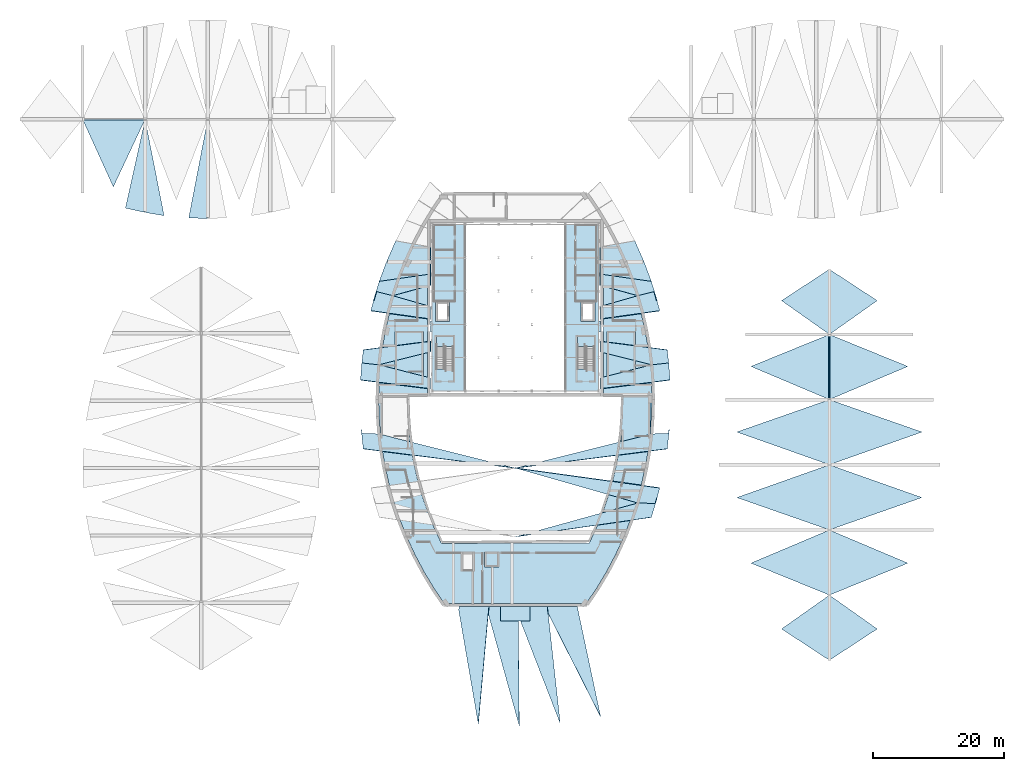
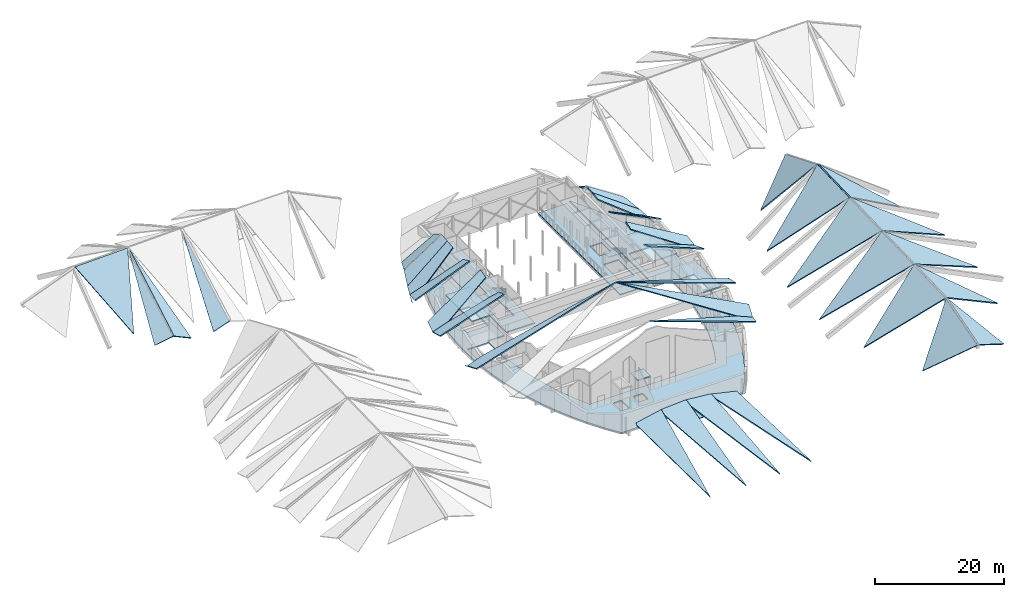
# One storey, part 8 of 17: 46 slabs, 2 elements without a shape of their own.
"""IFC4 building model written with IfcOpenShell, lengths in metres."""

from ifc_helpers import new_model, si_unit, direction, frame, origin, place, context, subcontext, project, spatial, polyline, outline, extrude, material, layer, layer_set, type_object, element, aggregate, save


model = new_model("IFC4")

# Units and contexts
model_context = context("Model", 3, precision=1e-05, world=origin(), true_north=direction((0.0, 1.0)))
body_context = subcontext(model_context, "Body", "Model", "MODEL_VIEW")
ifc_project = project(units=[si_unit("LENGTHUNIT", "METRE"), si_unit("AREAUNIT", "SQUARE_METRE"), si_unit("VOLUMEUNIT", "CUBIC_METRE"), si_unit("PLANEANGLEUNIT", "RADIAN"), si_unit("MASSUNIT", "GRAM", prefix="KILO")], contexts=[model_context])

# Site, building, storey
site_placement = place(None, origin())
site = spatial("IfcSite", under=ifc_project, at=site_placement, CompositionType="ELEMENT")
building_placement = place(site_placement, origin())
building = spatial("IfcBuilding", under=site, at=building_placement, Name="Tide Square Theatres", CompositionType="ELEMENT")
storey_placement = place(building_placement, frame((0.0, 0.0, 14.800048828125)))
storey = spatial("IfcBuildingStorey", under=building, at=storey_placement, Name="L03", CompositionType="ELEMENT", Elevation=14.800048828125)

# Slabs
ifc_material_1 = material(Name="Concrete C35", Category="concrete")
ifc_layer_1 = layer(ifc_material_1, 0.199951171875)
ifc_layer_set_1 = layer_set([ifc_layer_1], Name="Concrete C35")
slab_type_1 = type_object("IfcSlabType", Name="RC floor slab 200", PredefinedType="FLOOR", material=ifc_layer_set_1)
slab_1_placement = place(storey_placement, frame((0.0, 0.0, -0.199951171875)))
element("IfcSlab", 1, at=slab_1_placement, inside=storey, type_object=slab_type_1, Name="Fly gallery floor", PredefinedType="FLOOR", context=body_context, shape_type="SweptSolid", body=[
    extrude(outline(polyline([(71.27587890625, 56.27587890625), (76.365478515625, 56.27587890625), (76.365478515625, 81.72412109375), (71.27587890625, 81.72412109375), (71.27587890625, 67.0), (71.010009765625, 67.0), (71.010009765625, 65.300048828125), (71.27587890625, 65.300048828125), (71.27587890625, 56.27587890625)]), holes=[polyline([(74.52587890625, 59.631103515625), (74.52587890625, 64.575927734375), (71.926025390625, 64.575927734375), (71.926025390625, 59.631103515625), (74.52587890625, 59.631103515625)]), polyline([(73.926025390625, 66.89990234375), (73.926025390625, 69.89990234375), (71.825927734375, 69.89990234375), (71.825927734375, 66.89990234375), (73.926025390625, 66.89990234375)])]), origin(), (0.0, 0.0, 1.0), 0.199951171875),
])
slab_2_placement = place(storey_placement, frame((0.0, 0.0, -0.199951171875)))
element("IfcSlab", 2, at=slab_2_placement, inside=storey, type_object=slab_type_1, Name="Fly gallery floor", PredefinedType="FLOOR", context=body_context, shape_type="SweptSolid", body=[
    extrude(outline(polyline([(91.634521484375, 56.27587890625), (96.72412109375, 56.27587890625), (96.72412109375, 65.300048828125), (96.989990234375, 65.300048828125), (96.989990234375, 67.0), (96.72412109375, 67.0), (96.72412109375, 81.72412109375), (91.634521484375, 81.72412109375), (91.634521484375, 56.27587890625)]), holes=[polyline([(96.073974609375, 59.631103515625), (96.073974609375, 64.575927734375), (93.47412109375, 64.575927734375), (93.47412109375, 59.631103515625), (96.073974609375, 59.631103515625)]), polyline([(96.174072265625, 66.89990234375), (96.174072265625, 69.89990234375), (94.073974609375, 69.89990234375), (94.073974609375, 66.89990234375), (96.174072265625, 66.89990234375)])]), origin(), (0.0, 0.0, 1.0), 0.199951171875),
])
ifc_material_2 = material(Name="Concrete C35", Category="concrete")
ifc_layer_2 = layer(ifc_material_2, 0.25)
ifc_layer_set_2 = layer_set([ifc_layer_2], Name="Concrete C35")
slab_type_2 = type_object("IfcSlabType", Name="RC floor slab 250", PredefinedType="FLOOR", material=ifc_layer_set_2)
slab_3_placement = place(storey_placement, frame((0.0, 0.0, -0.25)))
element("IfcSlab", 3, at=slab_3_placement, inside=storey, type_object=slab_type_2, Name="Floor slab", PredefinedType="FLOOR", context=body_context, shape_type="SweptSolid", body=[
    extrude(outline(polyline([(64.75048828125, 41.8671875), (65.490478515625, 39.22802734375), (66.364501953125, 36.63037109375), (67.3701171875, 34.081298828125), (68.622802734375, 31.345703125), (70.02685546875, 28.685302734375), (71.578125, 26.107666015625), (73.14501953125, 23.8076171875), (94.85498046875, 23.8076171875), (96.421875, 26.107666015625), (97.97314453125, 28.685302734375), (99.377197265625, 31.345703125), (100.6298828125, 34.081298828125), (101.635498046875, 36.63037109375), (102.509521484375, 39.22802734375), (103.24951171875, 41.8671875), (103.853515625, 44.540771484375), (104.303955078125, 47.13330078125), (104.62646484375, 49.744873046875), (104.8203125, 52.369384765625), (104.885009765625, 55.0), (104.8203125, 57.630615234375), (104.62646484375, 60.255126953125), (104.303955078125, 62.86669921875), (103.853515625, 65.459228515625), (103.24951171875, 68.1328125), (102.509521484375, 70.77197265625), (101.635498046875, 73.36962890625), (100.6298828125, 75.918701171875), (99.377197265625, 78.654296875), (97.97314453125, 81.314697265625), (97.449951171875, 82.18408203125), (97.449951171875, 55.699951171875), (100.46630859375, 55.699951171875), (100.483642578125, 55.0), (100.42431640625, 52.58544921875), (100.246337890625, 50.1767578125), (99.9501953125, 47.77978515625), (99.537353515625, 45.402587890625), (98.982421875, 42.946533203125), (98.303466796875, 40.5244140625), (97.501220703125, 38.140380859375), (96.580322265625, 35.805908203125), (95.42822265625, 33.2900390625), (95.275146484375, 33.0), (72.724853515625, 33.0), (72.57177734375, 33.2900390625), (71.419677734375, 35.805908203125), (70.498779296875, 38.140380859375), (69.696533203125, 40.5244140625), (69.017578125, 42.946533203125), (68.462646484375, 45.402587890625), (68.0498046875, 47.77978515625), (67.753662109375, 50.1767578125), (67.57568359375, 52.58544921875), (67.516357421875, 55.0), (67.53369140625, 55.699951171875), (70.550048828125, 55.699951171875), (70.550048828125, 82.18408203125), (70.02685546875, 81.314697265625), (68.622802734375, 78.654296875), (67.3701171875, 75.918701171875), (66.364501953125, 73.36962890625), (65.490478515625, 70.77197265625), (64.75048828125, 68.1328125), (64.146484375, 65.459228515625), (63.696044921875, 62.86669921875), (63.37353515625, 60.255126953125), (63.1796875, 57.630615234375), (63.114990234375, 55.0), (63.1796875, 52.369384765625), (63.37353515625, 49.744873046875), (63.696044921875, 47.13330078125), (64.146484375, 44.540771484375), (64.75048828125, 41.8671875)]), holes=[polyline([(65.89990234375, 59.255126953125), (69.699951171875, 59.255126953125), (69.699951171875, 65.14990234375), (65.89990234375, 65.14990234375), (65.89990234375, 59.255126953125)]), polyline([(98.300048828125, 65.14990234375), (98.300048828125, 59.255126953125), (102.10009765625, 59.255126953125), (102.10009765625, 65.14990234375), (98.300048828125, 65.14990234375)]), polyline([(67.5, 55.300048828125), (63.699951171875, 55.300048828125), (63.699951171875, 49.4052734375), (67.5, 49.4052734375), (67.5, 55.300048828125)]), polyline([(104.300048828125, 49.4052734375), (104.300048828125, 55.300048828125), (100.5, 55.300048828125), (100.5, 49.4052734375), (104.300048828125, 49.4052734375)]), polyline([(76.0, 31.39990234375), (76.0, 29.0), (77.5, 29.0), (77.5, 31.39990234375), (76.0, 31.39990234375)]), polyline([(81.25, 31.39990234375), (79.60009765625, 31.39990234375), (79.60009765625, 29.699951171875), (81.25, 29.699951171875), (81.25, 31.39990234375)])]), origin(), (0.0, 0.0, 1.0), 0.25),
])

# Stair, slab
ifc_material_3 = material(Name="Concrete C35", Category="concrete")
stair_type = type_object("IfcStairType", Name="Stair half turn 1200 wide, 28 risers, rise 4600", PredefinedType="HALF_TURN_STAIR", material=ifc_material_3)
stair_1_placement = place(storey_placement, origin())
stair_1 = element("IfcStair", 4, at=stair_1_placement, inside=storey, type_object=stair_type, Name="Fly Tower west stair", PredefinedType="HALF_TURN_STAIR")
ifc_material_4 = material(Name="Concrete C35", Category="concrete")
ifc_layer_3 = layer(ifc_material_4, 0.199951171875)
ifc_layer_set_3 = layer_set([ifc_layer_3], Name="Concrete C35")
slab_type_3 = type_object("IfcSlabType", Name="RC landing slab 200", PredefinedType="LANDING", material=ifc_layer_set_3)
slab_4_placement = place(storey_placement, frame((0.0, 0.0, 2.099853515625)))
slab_4 = element("IfcSlab", 5, at=slab_4_placement, type_object=slab_type_3, Name="ST-1200-4600 landing 1", PredefinedType="LANDING", context=body_context, shape_type="SweptSolid", body=[
    extrude(outline(polyline([(74.52587890625, 63.095947265625), (74.52587890625, 64.575927734375), (71.926025390625, 64.575927734375), (71.926025390625, 63.095947265625), (74.52587890625, 63.095947265625)])), origin(), (0.0, 0.0, 1.0), 0.2001953125),
])
aggregate(stair_1, [slab_4])

stair_2_placement = place(storey_placement, origin())
stair_2 = element("IfcStair", 6, at=stair_2_placement, inside=storey, type_object=stair_type, Name="Fly Tower east stair", PredefinedType="HALF_TURN_STAIR")
slab_5_placement = place(storey_placement, frame((0.0, 0.0, 2.099853515625)))
slab_5 = element("IfcSlab", 7, at=slab_5_placement, type_object=slab_type_3, Name="ST-1200-4600 landing 1", PredefinedType="LANDING", context=body_context, shape_type="SweptSolid", body=[
    extrude(outline(polyline([(96.073974609375, 63.095947265625), (96.073974609375, 64.575927734375), (93.47412109375, 64.575927734375), (93.47412109375, 63.095947265625), (96.073974609375, 63.095947265625)])), origin(), (0.0, 0.0, 1.0), 0.2001953125),
])
aggregate(stair_2, [slab_5])

# Slabs
ifc_material_5 = material(Name="Concrete C40", Category="concrete")
ifc_layer_4 = layer(ifc_material_5, 0.1201171875)
ifc_layer_set_4 = layer_set([ifc_layer_4], Name="Concrete C40")
slab_type_4 = type_object("IfcSlabType", Name="RC roof slab 120", PredefinedType="ROOF", material=ifc_layer_set_4)
slab_6_placement = place(storey_placement, frame((0.0, 0.0, -0.1201171875)))
element("IfcSlab", 8, at=slab_6_placement, inside=storey, type_object=slab_type_4, Name="Lift overrun roof", PredefinedType="ROOF", context=body_context, shape_type="SweptSolid", body=[
    extrude(outline(polyline([(86.25, 23.357666015625), (81.75, 23.357666015625), (81.75, 21.15771484375), (86.25, 21.15771484375), (86.25, 23.357666015625)])), origin(), (0.0, 0.0, 1.0), 0.1201171875),
])
ifc_material_6 = material(Name="Concrete C40", Category="concrete")
ifc_layer_5 = layer(ifc_material_6, 0.199951171875)
ifc_layer_set_5 = layer_set([ifc_layer_5], Name="Concrete C40")
slab_type_5 = type_object("IfcSlabType", Name="RC roof slab 200", PredefinedType="ROOF", material=ifc_layer_set_5)
slab_7_placement = place(storey_placement, frame((0.0, 0.0, 3.294189453125)))
element("IfcSlab", 9, at=slab_7_placement, inside=storey, type_object=slab_type_5, Name="Main Theatre stair 1 head cover", PredefinedType="ROOF", context=body_context, shape_type="SweptSolid", body=[
    extrude(outline(polyline([(69.949951171875, 57.199951171875), (69.949951171875, 65.39990234375), (65.64990234375, 65.39990234375), (65.64990234375, 57.199951171875), (69.949951171875, 57.199951171875)])), origin(), (0.0, 0.0, 1.0), 0.199951171875),
])
slab_8_placement = place(storey_placement, frame((0.0, 0.0, 3.294189453125)))
element("IfcSlab", 10, at=slab_8_placement, inside=storey, type_object=slab_type_5, Name="Main Theatre stair 2 head cover", PredefinedType="ROOF", context=body_context, shape_type="SweptSolid", body=[
    extrude(outline(polyline([(102.35009765625, 57.199951171875), (102.35009765625, 65.39990234375), (98.050048828125, 65.39990234375), (98.050048828125, 57.199951171875), (102.35009765625, 57.199951171875)])), origin(), (0.0, 0.0, 1.0), 0.199951171875),
])
slab_9_placement = place(storey_placement, frame((0.0, 0.0, 2.23193359375)))
element("IfcSlab", 11, at=slab_9_placement, inside=storey, type_object=slab_type_5, Name="Main Theatre stair 4 head cover", PredefinedType="ROOF", context=body_context, shape_type="SweptSolid", body=[
    extrude(outline(polyline([(104.550048828125, 47.35009765625), (104.550048828125, 55.550048828125), (100.25, 55.550048828125), (100.25, 47.35009765625), (104.550048828125, 47.35009765625)])), origin(), (0.0, 0.0, 1.0), 0.199951171875),
])
slab_10_placement = place(storey_placement, frame((0.0, 0.0, 4.199951171875)))
element("IfcSlab", 12, at=slab_10_placement, inside=storey, type_object=slab_type_5, Name="Main Theatre lift 2 overrun cover", PredefinedType="ROOF", context=body_context, shape_type="SweptSolid", body=[
    extrude(outline(polyline([(79.300048828125, 29.39990234375), (81.550048828125, 29.39990234375), (81.550048828125, 31.699951171875), (79.300048828125, 31.699951171875), (79.300048828125, 29.39990234375)])), origin(), (0.0, 0.0, 1.0), 0.199951171875),
])
slab_11_placement = place(storey_placement, frame((84.0, 33.9931640625, 11.204345703125), z_axis=(0.37525711257, 0.187021017121, 0.907857499072), x_axis=(0.9065723659, 0.130045305354, -0.401515583685)))
element("IfcSlab", 13, at=slab_11_placement, inside=storey, type_object=slab_type_5, Name="Roof plate main-P006", PredefinedType="ROOF", context=body_context, shape_type="SweptSolid", body=[
    extrude(outline(polyline([(0.0, 0.0), (22.93929228416666, 2.220446049250313e-16), (24.578754170863977, 2.876581958921946), (24.52018787993384, 2.869843383098181), (24.06648589294448, 2.0170179055236686), (21.182499958288172, 2.4791906815925815), (0.0, 0.0)])), origin(), (0.0, 0.0, -1.0), 0.199951171875),
])
slab_12_placement = place(storey_placement, frame((106.083984375, 41.451171875, 2.103515625), z_axis=(0.338972301483, -0.386358856644, 0.857802199065), x_axis=(-0.902359883158, 0.124438671971, 0.412627747716)))
element("IfcSlab", 14, at=slab_12_placement, inside=storey, type_object=slab_type_5, Name="Roof plate main-P007", PredefinedType="ROOF", context=body_context, shape_type="SweptSolid", body=[
    extrude(outline(polyline([(0.0, 0.0), (24.47364446817156, -1.7763568394002505e-15), (2.8687843386015754, 2.8955563871353696), (-0.0351316847041504, 2.58210739963694), (0.0, 0.0)])), origin(), (0.0, 0.0, -1.0), 0.199951171875),
])
slab_13_placement = place(storey_placement, frame((84.0, 44.49658203125, 12.2021484375), z_axis=(0.355429008772, 0.263829812766, 0.896696185795), x_axis=(0.911286057036, 0.115582799567, -0.395219355165)))
element("IfcSlab", 15, at=slab_13_placement, inside=storey, type_object=slab_type_5, Name="Roof plate main-P011", PredefinedType="ROOF", context=body_context, shape_type="SweptSolid", body=[
    extrude(outline(polyline([(0.0, 0.0), (25.492750467317272, 0.0), (26.524240337483803, 2.963920427190383), (26.493959773243, 2.960427090690922), (26.315876545823862, 2.393520024238669), (23.478735651659758, 2.6237677718330454), (0.0, 0.0)])), origin(), (0.0, 0.0, -1.0), 0.199951171875),
])
slab_14_placement = place(storey_placement, frame((104.850341796875, 60.277099609375, 2.39990234375), z_axis=(0.368948387263, 0.324645747858, 0.870908850531), x_axis=(-0.866342773376, -0.219261971145, 0.44874757607)))
element("IfcSlab", 16, at=slab_14_placement, inside=storey, type_object=slab_type_5, Name="Roof plate main-P016", PredefinedType="ROOF", context=body_context, shape_type="SweptSolid", body=[
    extrude(outline(polyline([(0.0, 0.0), (9.061510113795622, -1.1102230246251565e-16), (9.70254415495752, 1.6497422517539888), (-2.0731676314459246, 3.0018869317007244), (-2.9705788917200113, -0.00026571077843512425), (-2.954433165418324, -0.00011354984373590504), (-2.855849901529811, 0.3719741857284802), (0.0, 0.0)])), origin(), (0.0, 0.0, -1.0), 0.199951171875),
])
slab_15_placement = place(storey_placement, frame((107.231201171875, 62.556884765625, 1.864013671875), z_axis=(0.430210051724, -0.245028024934, 0.868838637719), x_axis=(-0.87774562547, 0.111321740961, 0.466015114517)))
element("IfcSlab", 17, at=slab_15_placement, inside=storey, type_object=slab_type_5, Name="Roof plate main-P018", PredefinedType="ROOF", context=body_context, shape_type="SweptSolid", body=[
    extrude(outline(polyline([(0.0, 0.0), (11.656184390296232, 1.1102230246251565e-16), (11.265494366848205, 1.626106281125586), (2.0857314694460123, 2.608220202527449), (-0.7267366008200495, 1.9883276243683188), (0.0, 0.0)])), origin(), (0.0, 0.0, -1.0), 0.199951171875),
])
slab_16_placement = place(storey_placement, frame((97.0, 69.207275390625, 6.0068359375), z_axis=(0.406978209488, 0.394026322603, 0.824082516559), x_axis=(-4.822013e-06, -0.902175943999, 0.431368248769)))
element("IfcSlab", 18, at=slab_16_placement, inside=storey, type_object=slab_type_5, Name="Roof plate main-P023", PredefinedType="ROOF", context=body_context, shape_type="SweptSolid", body=[
    extrude(outline(polyline([(0.0, 0.0), (2.118370274601447, 5.551115123125783e-17), (-1.2054123034602315, 9.944836512585752), (-4.289398464513772, 9.052619326137794), (-3.0272663280751226, 6.267095286148113), (0.0, 0.0)])), origin(), (0.0, 0.0, -1.0), 0.199951171875),
])
slab_17_placement = place(storey_placement, frame((104.796142578125, 73.023681640625, 1.33447265625), z_axis=(0.540932056028, -0.105944954925, 0.834366932043), x_axis=(-0.826236971922, 0.118528972557, 0.55071167492)))
element("IfcSlab", 19, at=slab_17_placement, inside=storey, type_object=slab_type_5, Name="Roof plate main-P024", PredefinedType="ROOF", context=body_context, shape_type="SweptSolid", body=[
    extrude(outline(polyline([(0.0, 0.0), (9.435682064618367, -3.0531133177191805e-16), (9.110913459398533, 1.7068353697255434), (2.039271263130387, 2.458531693139318), (-0.8490720881176747, 1.4537459472624017), (-1.6053243105075206, 2.8459109873342663), (-1.6692623259663193, 2.852581630046227), (0.0, 0.0)])), origin(), (0.0, 0.0, -1.0), 0.199951171875),
])
slab_18_placement = place(storey_placement, frame((104.796142578125, 73.023681640625, 1.33447265625), z_axis=(0.545103213837, -0.078329267786, 0.834701750371), x_axis=(-0.331578387856, 0.894303902387, 0.300460151904)))
element("IfcSlab", 20, at=slab_18_placement, inside=storey, type_object=slab_type_5, Name="Roof plate main-P025", PredefinedType="ROOF", context=body_context, shape_type="SweptSolid", body=[
    extrude(outline(polyline([(0.0, 0.0), (3.226533589137668, 5.551115123125783e-17), (6.77663007763514, 7.20658838676229), (5.14650700912459, 7.908575196034043), (0.0, 0.0)])), origin(), (0.0, 0.0, -1.0), 0.199951171875),
])
slab_19_placement = place(storey_placement, frame((102.271484375, 79.228515625, 1.244140625), z_axis=(0.484171392581, 0.4646304976, 0.741415243508), x_axis=(-0.787101532062, -0.138816868275, 0.601000046013)))
element("IfcSlab", 21, at=slab_19_placement, inside=storey, type_object=slab_type_5, Name="Roof plate main-P027", PredefinedType="ROOF", context=body_context, shape_type="SweptSolid", body=[
    extrude(outline(polyline([(0.0, 0.0), (6.697362957347407, -2.220446049250313e-16), (7.828529482765797, 2.329794080095233), (-0.012338249551094527, 3.574384507757643), (0.0, 0.0)])), origin(), (0.0, 0.0, -1.0), 0.199951171875),
])
slab_20_placement = place(storey_placement, frame((60.768798828125, 47.443115234375, 2.126953125), z_axis=(-0.355429008772, 0.263829812766, 0.896696185795), x_axis=(0.911286057036, -0.115582799567, 0.395219355165)))
element("IfcSlab", 22, at=slab_20_placement, inside=storey, type_object=slab_type_5, Name="Roof plate main-P041", PredefinedType="ROOF", context=body_context, shape_type="SweptSolid", body=[
    extrude(outline(polyline([(0.0, 0.0), (25.492750467317272, 0.0), (2.0140148156575117, 2.6237677718330454), (-0.8231260785065893, 2.3935200242386685), (-1.001209305925726, 2.9604270906909207), (-1.0314898701665336, 2.9639204271903825), (0.0, 0.0)])), origin(), (0.0, 0.0, -1.0), 0.199951171875),
])
slab_21_placement = place(storey_placement, frame((60.343017578125, 57.9697265625, 2.071044921875), z_axis=(-0.368948387263, 0.324645747858, 0.870908850531), x_axis=(0.899089827184, -0.112873345354, 0.422962280307)))
element("IfcSlab", 23, at=slab_21_placement, inside=storey, type_object=slab_type_5, Name="Roof plate main-P046", PredefinedType="ROOF", context=body_context, shape_type="SweptSolid", body=[
    extrude(outline(polyline([(0.0, 0.0), (11.85308750123567, 2.220446049250313e-16), (11.404432928792069, 1.7120990665776694), (2.402075404770317, 2.745793679173331), (-0.47756487953499277, 2.7020296765886314), (-0.533058576879091, 3.082934379155104), (-0.5490815477626411, 3.084927375598639), (0.0, 0.0)])), origin(), (0.0, 0.0, -1.0), 0.199951171875),
])
slab_22_placement = place(storey_placement, frame((71.0, 62.244873046875, 6.842041015625), z_axis=(-0.430210051724, -0.245028024934, 0.868838637719), x_axis=(-1.8762031e-05, 0.962460503155, 0.271421774209)))
element("IfcSlab", 24, at=slab_22_placement, inside=storey, type_object=slab_type_5, Name="Roof plate main-P048", PredefinedType="ROOF", context=body_context, shape_type="SweptSolid", body=[
    extrude(outline(polyline([(0.0, 0.0), (1.6723816346569649, 0.0), (-1.0506540997634564, 11.333653909029291), (-3.1537391287121235, 11.575782366277975), (-3.0994500839929726, 8.696321278791922), (0.0, 0.0)])), origin(), (0.0, 0.0, -1.0), 0.199951171875),
])
slab_23_placement = place(storey_placement, frame((61.916015625, 68.548828125, 1.83544921875), z_axis=(-0.406978209488, 0.394026322603, 0.824082516559), x_axis=(0.866333550622, -0.11946952226, 0.484967228087)))
element("IfcSlab", 25, at=slab_23_placement, inside=storey, type_object=slab_type_5, Name="Roof plate main-P053", PredefinedType="ROOF", context=body_context, shape_type="SweptSolid", body=[
    extrude(outline(polyline([(0.0, 0.0), (10.485575992204007, -2.220446049250313e-16), (9.814081911398244, 2.009126257794126), (2.9105781683737018, 2.893694410512431), (-0.1313752741073168, 3.2077659962528573), (0.0, 0.0)])), origin(), (0.0, 0.0, -1.0), 0.199951171875),
])
slab_24_placement = place(storey_placement, frame((65.275390625, 70.838134765625, 2.39990234375), z_axis=(-0.540932056028, -0.105944954925, 0.834366932043), x_axis=(0.804987551159, 0.22222247414, 0.550102003692)))
element("IfcSlab", 26, at=slab_24_placement, inside=storey, type_object=slab_type_5, Name="Roof plate main-P054", PredefinedType="ROOF", context=body_context, shape_type="SweptSolid", body=[
    extrude(outline(polyline([(0.0, 0.0), (7.111481611779221, 8.326672684688674e-17), (7.614846373190087, 1.662944840712509), (-1.7679758123026634, 2.660313308223793), (-3.729409699916659, 0.00015621258317607967), (-3.6651247744085556, 3.1122944028252886e-05), (-2.7659548379371897, 1.3044598668829057), (0.0, 0.0)])), origin(), (0.0, 0.0, -1.0), 0.199951171875),
])
slab_25_placement = place(storey_placement, frame((63.203857421875, 73.023681640625, 1.33447265625), z_axis=(-0.545103213837, -0.078329267786, 0.834701750371), x_axis=(0.82624309634, 0.118530036147, 0.550702257378)))
element("IfcSlab", 27, at=slab_25_placement, inside=storey, type_object=slab_type_5, Name="Roof plate main-P055", PredefinedType="ROOF", context=body_context, shape_type="SweptSolid", body=[
    extrude(outline(polyline([(0.0, 0.0), (9.435682064710184, 1.7564075194265172e-17), (9.736426018418499, 1.7491826014426521), (1.7598492210518288, 2.7043390543711188), (0.0, 0.0)])), origin(), (0.0, 0.0, -1.0), 0.199951171875),
])
slab_26_placement = place(storey_placement, frame((65.728515625, 79.228515625, 1.244140625), z_axis=(-0.484171392581, 0.4646304976, 0.741415243508), x_axis=(-0.38487855838, -0.874071720476, 0.296423890339)))
element("IfcSlab", 28, at=slab_26_placement, inside=storey, type_object=slab_type_5, Name="Roof plate main-P057", PredefinedType="ROOF", context=body_context, shape_type="SweptSolid", body=[
    extrude(outline(polyline([(0.0, 0.0), (3.5744058026054955, 0.0), (2.30275742887995, 7.836524902143698), (-0.023118174058965657, 6.697323057198106), (0.0, 0.0)])), origin(), (0.0, 0.0, -1.0), 0.199951171875),
])
slab_27_placement = place(storey_placement, frame((75.43408203125, 23.357666015625, 1.32666015625), z_axis=(-0.19974768699, -0.246579963395, 0.94831386323), x_axis=(-0.180364453611, -0.942027430871, -0.282936359204)))
element("IfcSlab", 29, at=slab_27_placement, inside=storey, type_object=slab_type_5, Name="Foyer roof plate foyer-S5b", PredefinedType="ROOF", context=body_context, shape_type="SweptSolid", body=[
    extrude(outline(polyline([(0.0, 0.0), (0.5170221740797976, 3.469446951953614e-18), (17.573499047631966, 6.313717600536804), (-1.0874526739272836, 4.501704155021688), (0.0, 0.0)])), origin(), (0.0, 0.0, -1.0), 0.199951171875),
])
slab_28_placement = place(storey_placement, frame((79.978271484375, 23.357666015625, 2.299072265625), z_axis=(-0.061281022751, -0.2746934594, 0.959577062884), x_axis=(-0.086182211796, -0.956337275865, -0.279269835752)))
element("IfcSlab", 30, at=slab_28_placement, inside=storey, type_object=slab_type_5, Name="Foyer roof plate foyer-S6b", PredefinedType="ROOF", context=body_context, shape_type="SweptSolid", body=[
    extrude(outline(polyline([(0.0, 0.0), (1.1983352522744832, 0.0), (18.483213884725313, 6.267470813509521), (-0.4637422315179545, 4.443440829974135), (0.0, 0.0)])), origin(), (0.0, 0.0, -1.0), 0.199951171875),
])
slab_29_placement = place(storey_placement, frame((84.44140625, 23.357666015625, 2.557861328125), z_axis=(0.090266357543, -0.255509358789, 0.962583478077), x_axis=(0.009475779388, -0.966265085436, -0.257375201354)))
element("IfcSlab", 31, at=slab_29_placement, inside=storey, type_object=slab_type_5, Name="Foyer roof plate foyer-S7b", PredefinedType="ROOF", context=body_context, shape_type="SweptSolid", body=[
    extrude(outline(polyline([(0.0, 0.0), (1.3901261870459949, 0.0), (18.781401292410152, 6.2891516686046645), (0.15008505333040284, 4.4833801520366325), (0.0, 0.0)])), origin(), (0.0, 0.0, -1.0), 0.199951171875),
])
slab_30_placement = place(storey_placement, frame((88.9130859375, 23.357666015625, 2.086669921875), z_axis=(0.218066424652, -0.193804248239, 0.956497228331), x_axis=(0.106671958275, -0.969478591969, -0.220754055525)))
element("IfcSlab", 32, at=slab_30_placement, inside=storey, type_object=slab_type_5, Name="Foyer roof plate foyer-S8b", PredefinedType="ROOF", context=body_context, shape_type="SweptSolid", body=[
    extrude(outline(polyline([(0.0, 0.0), (1.0939282130090109, 6.938893903907228e-18), (18.431985357693744, 6.376419500764406), (0.7157313211017247, 4.620702314689296), (0.0, 0.0)])), origin(), (0.0, 0.0, -1.0), 0.199951171875),
])
slab_31_placement = place(storey_placement, frame((139.31640625, 19.915771484375, -4.0), z_axis=(0.661060434579, -0.2082607368, 0.720851279629), x_axis=(-0.602381669889, 0.425492627536, 0.67534609475)))
element("IfcSlab", 33, at=slab_31_placement, inside=storey, type_object=slab_type_5, Name="Roof plate blackbox-P005", PredefinedType="ROOF", context=body_context, shape_type="SweptSolid", body=[
    extrude(outline(polyline([(0.0, 0.0), (11.915186987168834, -6.661338147750939e-16), (5.85215251820545, 8.16393993424357), (0.0, 0.0)])), origin(), (0.0, 0.0, -1.0), 0.199951171875),
])
slab_32_placement = place(storey_placement, frame((144.003173828125, 29.9716796875, -4.0), z_axis=(0.570848836883, -0.024611847294, 0.820686214336), x_axis=(-0.771509606801, 0.325887281009, 0.546415964894)))
element("IfcSlab", 34, at=slab_32_placement, inside=storey, type_object=slab_type_5, Name="Roof plate blackbox-P010", PredefinedType="ROOF", context=body_context, shape_type="SweptSolid", body=[
    extrude(outline(polyline([(0.0, 0.0), (15.402660804869448, 4.440892098500626e-16), (12.02830435274457, 9.267899626154945), (0.0, 0.0)])), origin(), (0.0, 0.0, -1.0), 0.199951171875),
])
slab_33_placement = place(storey_placement, frame((146.1640625, 39.993408203125, -4.0), z_axis=(0.521011725437, -0.025590968858, 0.85316580116), x_axis=(-0.813538968924, 0.287553691976, 0.505437652212)))
element("IfcSlab", 35, at=slab_33_placement, inside=storey, type_object=slab_type_5, Name="Roof plate blackbox-P015", PredefinedType="ROOF", context=body_context, shape_type="SweptSolid", body=[
    extrude(outline(polyline([(0.0, 0.0), (17.275985585043955, -2.220446049250313e-16), (14.284832781059215, 9.422157750577217), (0.0, 0.0)])), origin(), (0.0, 0.0, -1.0), 0.199951171875),
])
slab_34_placement = place(storey_placement, frame((146.1640625, 50.006591796875, -4.0), z_axis=(0.534005748407, -0.025353436391, 0.845100623554), x_axis=(-0.807173602627, 0.282174888518, 0.518505648486)))
element("IfcSlab", 36, at=slab_34_placement, inside=storey, type_object=slab_type_5, Name="Roof plate blackbox-P020", PredefinedType="ROOF", context=body_context, shape_type="SweptSolid", body=[
    extrude(outline(polyline([(0.0, 0.0), (17.40889680657958, 2.220446049250313e-16), (14.467501568286611, 9.436020106130087), (0.0, 0.0)])), origin(), (0.0, 0.0, -1.0), 0.199951171875),
])
slab_35_placement = place(storey_placement, frame((144.003173828125, 60.0283203125, -4.0), z_axis=(0.610266437127, -0.023762649415, 0.791839764226), x_axis=(-0.749784845964, 0.305340012929, 0.587018024653)))
element("IfcSlab", 37, at=slab_35_placement, inside=storey, type_object=slab_type_5, Name="Roof plate blackbox-P025", PredefinedType="ROOF", context=body_context, shape_type="SweptSolid", body=[
    extrude(outline(polyline([(0.0, 0.0), (15.837876777487631, -8.881784197001252e-16), (12.656097063235457, 9.328804527353048), (0.0, 0.0)])), origin(), (0.0, 0.0, -1.0), 0.199951171875),
])
slab_36_placement = place(storey_placement, frame((139.31640625, 70.084228515625, -4.0), z_axis=(0.67766799028, 0.27832646441, 0.680661791317), x_axis=(-0.714555234419, 0.46788352103, 0.52009213387)))
element("IfcSlab", 38, at=slab_36_placement, inside=storey, type_object=slab_type_5, Name="Roof plate blackbox-P030", PredefinedType="ROOF", context=body_context, shape_type="SweptSolid", body=[
    extrude(outline(polyline([(0.0, 0.0), (10.03991282977109, -4.440892098500626e-16), (7.5477667503789885, 10.25113381454937), (0.0, 0.0)])), origin(), (0.0, 0.0, -1.0), 0.199951171875),
])
slab_37_placement = place(storey_placement, frame((124.68359375, 19.915771484375, -4.0), z_axis=(-0.661060434579, -0.2082607368, 0.720851279629), x_axis=(0.714549274993, -0.467875558475, 0.520107484458)))
element("IfcSlab", 39, at=slab_37_placement, inside=storey, type_object=slab_type_5, Name="Roof plate blackbox-P035", PredefinedType="ROOF", context=body_context, shape_type="SweptSolid", body=[
    extrude(outline(polyline([(0.0, 0.0), (10.044779955094853, 0.0), (6.941863519517035, 9.684121633663846), (0.0, 0.0)])), origin(), (0.0, 0.0, -1.0), 0.199951171875),
])
slab_38_placement = place(storey_placement, frame((119.996826171875, 29.9716796875, -4.0), z_axis=(-0.570848836883, -0.024611847294, 0.820686214336), x_axis=(0.782585609854, -0.318684089512, 0.534789878682)))
element("IfcSlab", 40, at=slab_38_placement, inside=storey, type_object=slab_type_5, Name="Roof plate blackbox-P040", PredefinedType="ROOF", context=body_context, shape_type="SweptSolid", body=[
    extrude(outline(polyline([(0.0, 0.0), (15.18466559008584, 6.661338147750939e-16), (12.200985981806665, 9.400952129524905), (0.0, 0.0)])), origin(), (0.0, 0.0, -1.0), 0.199951171875),
])
slab_39_placement = place(storey_placement, frame((117.8359375, 39.993408203125, -4.0), z_axis=(-0.521011725437, -0.025590968858, 0.85316580116), x_axis=(0.821316998571, -0.287121397239, 0.492949988442)))
element("IfcSlab", 41, at=slab_39_placement, inside=storey, type_object=slab_type_5, Name="Roof plate blackbox-P045", PredefinedType="ROOF", context=body_context, shape_type="SweptSolid", body=[
    extrude(outline(polyline([(0.0, 0.0), (17.11237868502174, -2.220446049250313e-16), (14.421406266935293, 9.512240494155206), (0.0, 0.0)])), origin(), (0.0, 0.0, -1.0), 0.199951171875),
])
slab_40_placement = place(storey_placement, frame((117.8359375, 50.006591796875, -4.0), z_axis=(-0.534005748407, -0.025353436391, 0.845100623554), x_axis=(0.813536996583, -0.287565547118, 0.505434082054)))
element("IfcSlab", 42, at=slab_40_placement, inside=storey, type_object=slab_type_5, Name="Roof plate blackbox-P050", PredefinedType="ROOF", context=body_context, shape_type="SweptSolid", body=[
    extrude(outline(polyline([(0.0, 0.0), (17.272726393701337, 0.0), (14.581556849251903, 9.51040944829252), (0.0, 0.0)])), origin(), (0.0, 0.0, -1.0), 0.199951171875),
])
slab_41_placement = place(storey_placement, frame((119.996826171875, 60.0283203125, -4.0), z_axis=(-0.610266437127, -0.023762649415, 0.791839764226), x_axis=(0.755277261694, -0.319036320287, 0.57251382892)))
element("IfcSlab", 43, at=slab_41_placement, inside=storey, type_object=slab_type_5, Name="Roof plate blackbox-P055", PredefinedType="ROOF", context=body_context, shape_type="SweptSolid", body=[
    extrude(outline(polyline([(0.0, 0.0), (15.722702909601768, 0.0), (12.748807054608607, 9.397141028166168), (0.0, 0.0)])), origin(), (0.0, 0.0, -1.0), 0.199951171875),
])
slab_42_placement = place(storey_placement, frame((124.68359375, 70.084228515625, -4.0), z_axis=(-0.67766799028, 0.27832646441, 0.680661791317), x_axis=(0.5635535148, -0.398064208038, 0.723845509923)))
element("IfcSlab", 44, at=slab_42_placement, inside=storey, type_object=slab_type_5, Name="Roof plate blackbox-P060", PredefinedType="ROOF", context=body_context, shape_type="SweptSolid", body=[
    extrude(outline(polyline([(0.0, 0.0), (12.730063919789412, -4.440892098500626e-16), (5.95275253217293, 8.084836851793048), (0.0, 0.0)])), origin(), (0.0, 0.0, -1.0), 0.199951171875),
])
slab_43_placement = place(storey_placement, frame((24.4306640625, 84.2236328125, -3.05224609375), z_axis=(-0.398461588415, -0.459316944298, 0.793886835285), x_axis=(0.917147188809, -0.207398938724, 0.34033324004)))
element("IfcSlab", 45, at=slab_43_placement, inside=storey, type_object=slab_type_5, Name="Roof plate workshops-P009", PredefinedType="ROOF", context=body_context, shape_type="SweptSolid", body=[
    extrude(outline(polyline([(0.0, 0.0), (3.1900890998744034, 0.0), (3.0446462257000104, 16.012617692258413), (0.0, 0.0)])), origin(), (0.0, 0.0, -1.0), 0.199951171875),
])
slab_44_placement = place(storey_placement, frame((22.58056640625, 87.4580078125, -2.199951171875), z_axis=(-0.023301437035, -0.628809115717, 0.777210485662), x_axis=(0.341043667905, 0.725787297938, 0.597429506079)))
element("IfcSlab", 46, at=slab_44_placement, inside=storey, type_object=slab_type_5, Name="Roof plate workshops-P010", PredefinedType="ROOF", context=body_context, shape_type="SweptSolid", body=[
    extrude(outline(polyline([(0.0, 0.0), (14.067428524177426, -2.220446049250313e-16), (10.679614336821036, 8.813535250726442), (0.0, 0.0)])), origin(), (0.0, 0.0, -1.0), 0.199951171875),
])
slab_45_placement = place(storey_placement, frame((30.3427734375, 83.064208984375, -3.0166015625), z_axis=(0.233104253631, -0.48700190097, 0.841719404191), x_axis=(-0.164175353389, 0.833431269156, 0.527672979157)))
element("IfcSlab", 47, at=slab_45_placement, inside=storey, type_object=slab_type_5, Name="Roof plate workshops-P011", PredefinedType="ROOF", context=body_context, shape_type="SweptSolid", body=[
    extrude(outline(polyline([(0.0, 0.0), (17.17122417393303, -2.220446049250313e-16), (1.404397749926173, 2.700618845211816), (0.0, 0.0)])), origin(), (0.0, 0.0, -1.0), 0.199951171875),
])
slab_46_placement = place(storey_placement, frame((34.09912109375, 82.71337890625, -2.928466796875), z_axis=(-0.321129356881, -0.460801668213, 0.827367970567), x_axis=(0.936801266365, -0.026475169341, 0.348858786251)))
element("IfcSlab", 48, at=slab_46_placement, inside=storey, type_object=slab_type_5, Name="Roof plate workshops-P014", PredefinedType="ROOF", context=body_context, shape_type="SweptSolid", body=[
    extrude(outline(polyline([(0.0, 0.0), (3.024650153114666, 0.0), (5.51107739674145, 16.775571703572272), (0.0, 0.0)])), origin(), (0.0, 0.0, -1.0), 0.199951171875),
])

save(model, "model.ifc")
